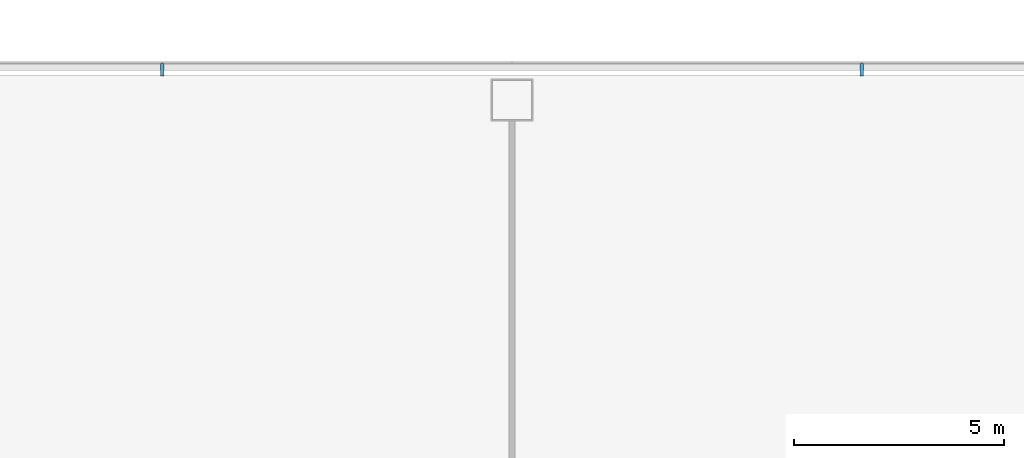
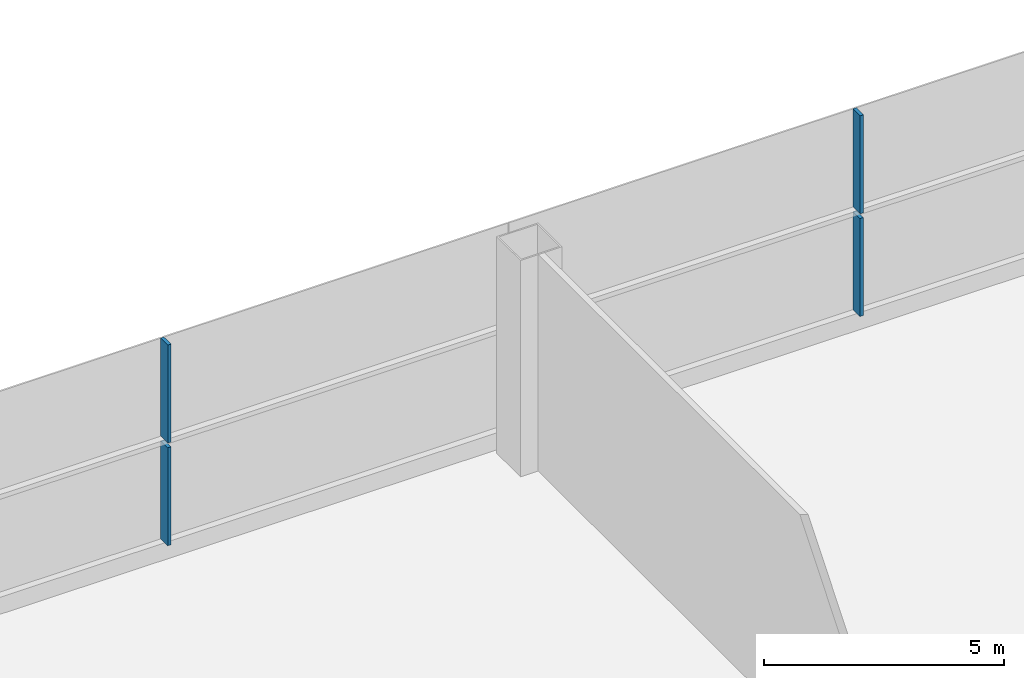
# One storey, part 23 of 100: 4 members, 1 element without a shape of its own.
"""IFC4 building model written with IfcOpenShell, lengths in metres."""

import ifcopenshell
import ifcopenshell.guid

model = None  # the IFC model being written
_history = None  # IfcOwnerHistory: only IFC2X3 demands one
_inside = {}  # id of a spatial element -> (the spatial element, [elements in it])
_under = {}  # id of a project, library or spatial element -> (it, [spatial elements below it])
_declared = {}  # id of a project -> (the project, [libraries it declares])
_typed = {}  # id of a type object -> (the type object, [elements of that type])
_made_of = {}  # id of a material, layer set ... -> (it, [elements and type objects made of it])


def new_model(schema):
    """Start an empty IFC model of exactly this schema.

    Asked for "IFC4X3", IfcOpenShell would pick the latest addendum, in which some entities
    have other attributes; the version numbers below select the first issue.
    IFC2X3 requires an IfcOwnerHistory on every rooted entity: one is made here for all.
    """
    global model, _history
    if schema == "IFC4X3":
        model = ifcopenshell.file(schema_version=(4, 3, 0, 0))
    else:
        model = ifcopenshell.file(schema=schema)
    _inside.clear()
    _under.clear()
    _declared.clear()
    _typed.clear()
    _made_of.clear()
    _history = None
    if model.schema == "IFC2X3":
        org = make("IfcOrganization", Name="unknown")
        user = make(
            "IfcPersonAndOrganization",
            ThePerson=make("IfcPerson", FamilyName="unknown"),
            TheOrganization=org,
        )
        app = make(
            "IfcApplication",
            ApplicationDeveloper=org,
            Version="unknown",
            ApplicationFullName="unknown",
            ApplicationIdentifier="unknown",
        )
        _history = make(
            "IfcOwnerHistory",
            OwningUser=user,
            OwningApplication=app,
            ChangeAction="ADDED",
            CreationDate=0,
        )
    return model


def make(cls, **values):
    """One entity of the class cls with the attributes given. An attribute that is None is left unset."""
    return model.create_entity(
        cls, **{name: value for name, value in values.items() if value is not None}
    )


def rooted(cls, **values):
    """An entity with a GlobalId (a new one), such as an element, a storey or a relation."""
    return make(cls, GlobalId=ifcopenshell.guid.new(), OwnerHistory=_history, **values)


def si_unit(unit_type, name, prefix=None):
    """IfcSIUnit, for example si_unit("LENGTHUNIT", "METRE", prefix="MILLI")."""
    return make("IfcSIUnit", UnitType=unit_type, Prefix=prefix, Name=name)


def assignment(units):
    """IfcUnitAssignment: the units of a project."""
    return None if units is None else make("IfcUnitAssignment", Units=units)


def point(xyz):
    """IfcCartesianPoint."""
    return None if xyz is None else make("IfcCartesianPoint", Coordinates=xyz)


def direction(xyz):
    """IfcDirection."""
    return None if xyz is None else make("IfcDirection", DirectionRatios=xyz)


def frame(location, z_axis=None, x_axis=None):
    """IfcAxis2Placement3D, a coordinate frame: its origin and axes. An axis left out is left unset."""
    return make(
        "IfcAxis2Placement3D",
        Location=point(location),
        Axis=direction(z_axis),
        RefDirection=direction(x_axis),
    )


def frame_2d(location, x_axis=None):
    """IfcAxis2Placement2D, a coordinate frame in the plane: its origin and x axis."""
    return make(
        "IfcAxis2Placement2D", Location=point(location), RefDirection=direction(x_axis)
    )


def origin():
    """The frame at (0, 0, 0) with its axes left unset."""
    return frame((0.0, 0.0, 0.0))


def origin_2d():
    """The frame at (0, 0) in the plane with its x axis left unset."""
    return frame_2d((0.0, 0.0))


def place(relative_to, where):
    """IfcLocalPlacement: puts the frame where relative to a parent placement (None: the world)."""
    return make(
        "IfcLocalPlacement", PlacementRelTo=relative_to, RelativePlacement=where
    )


def context(
    kind, dimensions, precision=None, world=None, true_north=None, identifier=None
):
    """IfcGeometricRepresentationContext, for example the 3D "Model" context."""
    return make(
        "IfcGeometricRepresentationContext",
        ContextIdentifier=identifier,
        ContextType=kind,
        CoordinateSpaceDimension=dimensions,
        Precision=precision,
        WorldCoordinateSystem=world,
        TrueNorth=true_north,
    )


def subcontext(parent, identifier, kind, view, scale=None):
    """IfcGeometricRepresentationSubContext, for example "Body" below "Model"."""
    return make(
        "IfcGeometricRepresentationSubContext",
        ContextIdentifier=identifier,
        ContextType=kind,
        ParentContext=parent,
        TargetScale=scale,
        TargetView=view,
    )


def project(units=None, contexts=None):
    """IfcProject with its units and contexts."""
    return rooted(
        "IfcProject",
        Name="project",
        RepresentationContexts=contexts,
        UnitsInContext=assignment(units),
    )


def spatial(cls, under=None, at=None, **own):
    """A site, building, storey or space (cls), placed at a placement, below another one or the project."""
    s = rooted(cls, ObjectPlacement=at, **own)
    if under is not None:
        _under.setdefault(under.id(), (under, []))[1].append(s)
    return s


def profile(cls, at=None, kind="AREA", **sizes):
    """A parametric profile (cls). Its sizes go by their IFC names, for example OverallWidth=200.0."""
    return make(cls, ProfileType=kind, Position=at, **sizes)


def rectangle(**sizes):
    """IfcRectangleProfileDef."""
    return profile("IfcRectangleProfileDef", **sizes)


def extrude(swept, where, along, depth):
    """IfcExtrudedAreaSolid: the profile swept, set in the frame where, extruded along a direction by depth."""
    return make(
        "IfcExtrudedAreaSolid",
        SweptArea=swept,
        Position=where,
        ExtrudedDirection=direction(along),
        Depth=depth,
    )


def shape(context_of_items, identifier, shape_type, items):
    """IfcShapeRepresentation: the items that make up one representation, for example the "Body"."""
    return make(
        "IfcShapeRepresentation",
        ContextOfItems=context_of_items,
        RepresentationIdentifier=identifier,
        RepresentationType=shape_type,
        Items=items,
    )


def material(Name=None, Category=None):
    """IfcMaterial."""
    return make("IfcMaterial", Name=Name, Category=Category)


def layer(
    of_material, thickness, ventilated=None, Name=None, Category=None, Priority=None
):
    """IfcMaterialLayer: one layer of a wall or slab, of a material (None: an air gap)."""
    return make(
        "IfcMaterialLayer",
        Material=of_material,
        LayerThickness=thickness,
        IsVentilated=ventilated,
        Name=Name,
        Category=Category,
        Priority=Priority,
    )


def layer_set(layers, Name=None):
    """IfcMaterialLayerSet."""
    return make("IfcMaterialLayerSet", MaterialLayers=layers, LayerSetName=Name)


def material_profile(
    of_material, cross_section, Name=None, Category=None, Priority=None
):
    """IfcMaterialProfile: a cross section and its material."""
    return make(
        "IfcMaterialProfile",
        Name=Name,
        Material=of_material,
        Profile=cross_section,
        Priority=Priority,
        Category=Category,
    )


def profile_set(profiles, Name=None, composite=None):
    """IfcMaterialProfileSet."""
    return make(
        "IfcMaterialProfileSet",
        Name=Name,
        MaterialProfiles=profiles,
        CompositeProfile=composite,
    )


def made_of(thing, what):
    """Note that an element or type object is made of a material, layer set ...; save() writes the relation."""
    if what is not None:
        _made_of.setdefault(what.id(), (what, []))[1].append(thing)
    return thing


def type_object(cls, material=None, **own):
    """A type object (cls), such as IfcWallType, which elements share."""
    return made_of(rooted(cls, **own), material)


def element(
    cls,
    number,
    at=None,
    inside=None,
    cuts=None,
    type_object=None,
    material=None,
    context=None,
    identifier="Body",
    shape_type=None,
    held_by="IfcProductDefinitionShape",
    body=None,
    shapes=None,
    **own,
):
    """One element of the class cls, such as IfcWall. Its Tag is "e" and its number.

    at: its placement. inside: the storey or other place that contains it. cuts: it is an
    opening in that element (IfcRelVoidsElement). A single representation is given by context,
    identifier, shape_type and body (its items); several are given by shapes. held_by: the class
    of the entity that holds the representations. save() writes the other relations.
    """
    e = rooted(cls, Tag="e%d" % number, ObjectPlacement=at, **own)
    if body is not None:
        shapes = [shape(context, identifier, shape_type, body)]
    if shapes is not None:
        e.Representation = make(held_by, Representations=shapes)
    if inside is not None:
        _inside.setdefault(inside.id(), (inside, []))[1].append(e)
    if cuts is not None:
        rooted(
            "IfcRelVoidsElement", RelatingBuildingElement=cuts, RelatedOpeningElement=e
        )
    if type_object is not None:
        _typed.setdefault(type_object.id(), (type_object, []))[1].append(e)
    return made_of(e, material)


def aggregate(whole, parts):
    """IfcRelAggregates: a whole, such as a stair, and the parts it consists of."""
    return rooted("IfcRelAggregates", RelatingObject=whole, RelatedObjects=parts)


def save(model, path):
    """Write the relations noted so far, then the file.

    IfcRelAggregates (storeys below a building ...), IfcRelContainedInSpatialStructure (elements
    in a storey), IfcRelDefinesByType, IfcRelAssociatesMaterial and IfcRelDeclares: one each for
    every whole, place, type object, material and project.
    """
    for whole, parts in _under.values():
        aggregate(whole, parts)
    for where, things in _inside.values():
        rooted(
            "IfcRelContainedInSpatialStructure",
            RelatedElements=things,
            RelatingStructure=where,
        )
    for kind, things in _typed.values():
        rooted("IfcRelDefinesByType", RelatedObjects=things, RelatingType=kind)
    for what, things in _made_of.values():
        rooted("IfcRelAssociatesMaterial", RelatedObjects=things, RelatingMaterial=what)
    for by, libraries in _declared.values():
        rooted("IfcRelDeclares", RelatingContext=by, RelatedDefinitions=libraries)
    model.write(path)


model = new_model("IFC4")

# Units and contexts
model_context = context("Model", 3, precision=1e-05, world=origin(), true_north=direction((0.0, 1.0)))
body_context = subcontext(model_context, "Body", "Model", "MODEL_VIEW")
ifc_project = project(units=[si_unit("LENGTHUNIT", "METRE"), si_unit("AREAUNIT", "SQUARE_METRE"), si_unit("VOLUMEUNIT", "CUBIC_METRE"), si_unit("PLANEANGLEUNIT", "RADIAN"), si_unit("MASSUNIT", "GRAM", prefix="KILO")], contexts=[model_context])

# Site, building, storey
site_placement = place(None, origin())
site = spatial("IfcSite", under=ifc_project, at=site_placement, CompositionType="ELEMENT")
building_placement = place(site_placement, origin())
building = spatial("IfcBuilding", under=site, at=building_placement, Name="Hakoniwa Tower and Hamabe Station Hall", CompositionType="ELEMENT")
storey_placement = place(building_placement, frame((0.0, 0.0, 9.0)))
storey = spatial("IfcBuildingStorey", under=building, at=storey_placement, Name="L02", CompositionType="ELEMENT", Elevation=9.0)

# Curtain wall, members
ifc_material_1 = material(Name="Dark low-e laminated glass", Category="glass")
ifc_layer = layer(ifc_material_1, 0.199951171875)
ifc_layer_set = layer_set([ifc_layer], Name="CW-7 STATION")
curtain_wall_type = type_object("IfcCurtainWallType", Name="CW-7 STATION", PredefinedType="NOTDEFINED", material=ifc_layer_set)
curtain_wall_placement = place(storey_placement, origin())
curtain_wall = element("IfcCurtainWall", 1, at=curtain_wall_placement, inside=storey, type_object=curtain_wall_type, Name="Station curtain wall L02 north", PredefinedType="NOTDEFINED")
ifc_material_2 = material(Name="Aluminium 6063-T5 black anodised", Category="aluminium")
ifc_material_profile = material_profile(ifc_material_2, rectangle(XDim=0.080078125, YDim=0.300048828125, at=origin_2d()), Name="CW-3 MULLION 80X300")
ifc_profile_set = profile_set([ifc_material_profile], Name="Aluminium 6063-T5 black anodised")
member_type = type_object("IfcMemberType", Name="CW-3 MULLION 80X300", PredefinedType="MULLION", material=ifc_profile_set)
member_1_placement = place(storey_placement, frame((119.22998046875, 24.1220703125, 0.35009765625), z_axis=(0.0, 0.0, 1.0), x_axis=(-1.0, 0.0, 0.0)))
member_1 = element("IfcMember", 2, at=member_1_placement, type_object=member_type, Name="CW-7 mullion", PredefinedType="MULLION", context=body_context, shape_type="SweptSolid", body=[
    extrude(rectangle(XDim=0.080078125, YDim=0.300048828125, at=origin_2d()), origin(), (0.0, 0.0, 1.0), 2.489990234375),
])
member_2_placement = place(storey_placement, frame((119.22998046875, 24.1220703125, 2.9599609375), z_axis=(0.0, 0.0, 1.0), x_axis=(-1.0, 0.0, 0.0)))
member_2 = element("IfcMember", 3, at=member_2_placement, type_object=member_type, Name="CW-7 mullion", PredefinedType="MULLION", context=body_context, shape_type="SweptSolid", body=[
    extrude(rectangle(XDim=0.080078125, YDim=0.300048828125, at=origin_2d()), origin(), (0.0, 0.0, 1.0), 2.489990234375),
])
member_3_placement = place(storey_placement, frame((102.590087890625, 24.1220703125, 0.35009765625), z_axis=(0.0, 0.0, 1.0), x_axis=(-1.0, 0.0, 0.0)))
member_3 = element("IfcMember", 4, at=member_3_placement, type_object=member_type, Name="CW-7 mullion", PredefinedType="MULLION", context=body_context, shape_type="SweptSolid", body=[
    extrude(rectangle(XDim=0.080078125, YDim=0.300048828125, at=origin_2d()), origin(), (0.0, 0.0, 1.0), 2.489990234375),
])
member_4_placement = place(storey_placement, frame((102.590087890625, 24.1220703125, 2.9599609375), z_axis=(0.0, 0.0, 1.0), x_axis=(-1.0, 0.0, 0.0)))
member_4 = element("IfcMember", 5, at=member_4_placement, type_object=member_type, Name="CW-7 mullion", PredefinedType="MULLION", context=body_context, shape_type="SweptSolid", body=[
    extrude(rectangle(XDim=0.080078125, YDim=0.300048828125, at=origin_2d()), origin(), (0.0, 0.0, 1.0), 2.489990234375),
])
aggregate(curtain_wall, [member_1, member_2, member_3, member_4])

save(model, "model.ifc")
